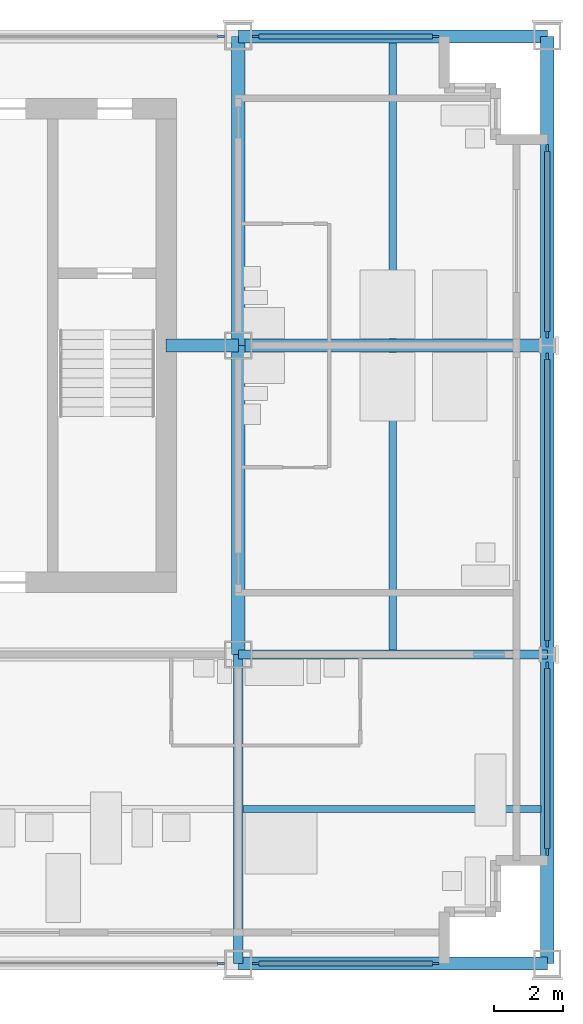
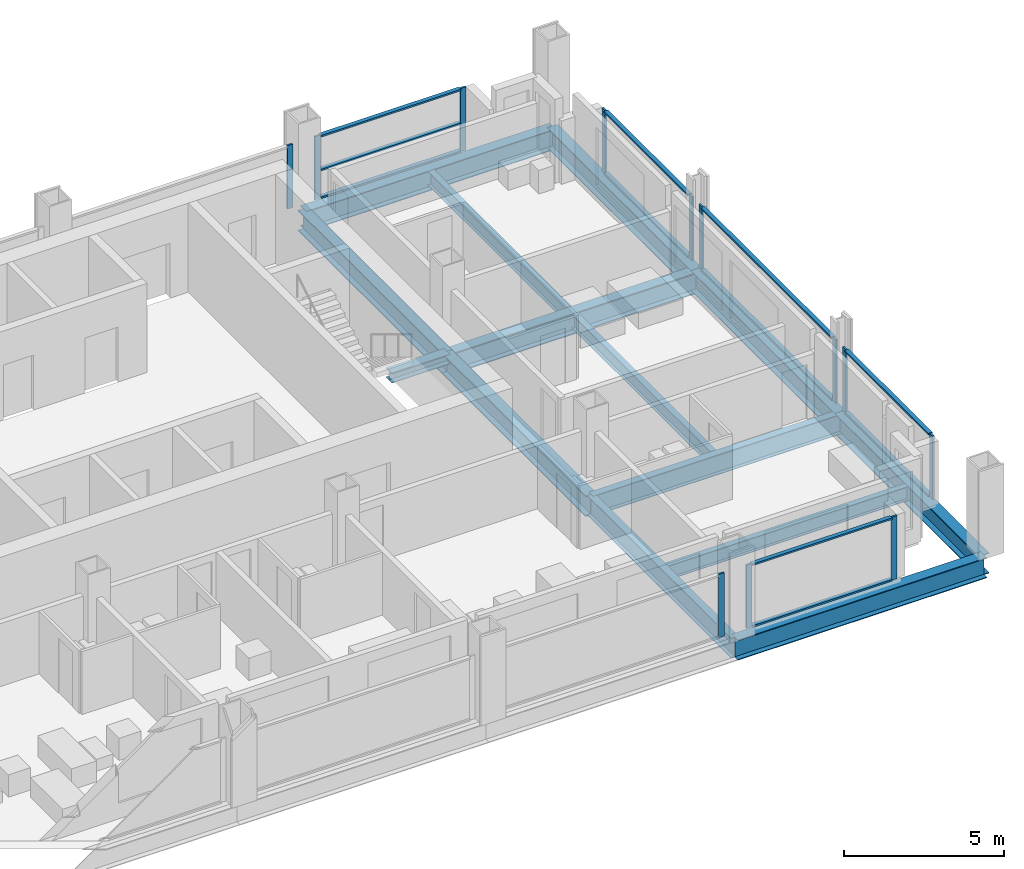
# One storey, part 5 of 13: 24 members, 13 beams, 7 elements without a shape of their own.
"""IFC4 building model written with IfcOpenShell, lengths in metres."""

from ifc_helpers import new_model, si_unit, direction, frame, origin, origin_2d, place, context, subcontext, project, spatial, rectangle, i_section, extrude, material, material_profile, profile_set, type_object, element, aggregate, save


model = new_model("IFC4")

# Units and contexts
model_context = context("Model", 3, precision=1e-05, world=origin(), true_north=direction((0.0, 1.0)))
body_context = subcontext(model_context, "Body", "Model", "MODEL_VIEW")
ifc_project = project(units=[si_unit("LENGTHUNIT", "METRE"), si_unit("AREAUNIT", "SQUARE_METRE"), si_unit("VOLUMEUNIT", "CUBIC_METRE"), si_unit("PLANEANGLEUNIT", "RADIAN"), si_unit("MASSUNIT", "GRAM", prefix="KILO")], contexts=[model_context])

# Site, building, storey
site_placement = place(None, origin())
site = spatial("IfcSite", under=ifc_project, at=site_placement, CompositionType="ELEMENT")
building_placement = place(site_placement, origin())
building = spatial("IfcBuilding", under=site, at=building_placement, Name="Loomwork Tower", CompositionType="ELEMENT")
storey_placement = place(building_placement, frame((0.0, 0.0, 214.800048828125)))
storey = spatial("IfcBuildingStorey", under=building, at=storey_placement, Name="L59", CompositionType="ELEMENT", Elevation=214.800048828125)

# Beams
ifc_material_1 = material(Name="Steel ASTM A992", Category="steel")
ifc_material_profile_1 = material_profile(ifc_material_1, i_section(OverallWidth=0.383544921875, OverallDepth=0.794921875, WebThickness=0.02099609375, FlangeThickness=0.0380859375, at=origin_2d()), Name="W30x235")
ifc_profile_set_1 = profile_set([ifc_material_profile_1], Name="Steel ASTM A992")
beam_type_1 = type_object("IfcBeamType", Name="CORE FLANK GIRDER W30x235", PredefinedType="BEAM", material=ifc_profile_set_1)
for number, where, z_axis, x_axis, name in (
    (1, (36.0, 18.0, -0.59765625), (1.0, 0.0, 0.0), (0.0, 1.0, 0.0), "Core Flank Girder F/6-F/7 L59"),
    (2, (36.0, 9.0, -0.59765625), (0.0, 1.0, 0.0), (-1.0, 0.0, 0.0), "Core Flank Girder E/6-F/6 L59"),
    (3, (36.0, 18.0, -0.59765625), (0.0, 1.0, 0.0), (-1.0, 0.0, 0.0), "Core Flank Girder F/6-G/6 L59"),
):
    element("IfcBeam", number, at=place(storey_placement, frame(where, z_axis=z_axis, x_axis=x_axis)), inside=storey, type_object=beam_type_1, Name=name, PredefinedType="BEAM", context=body_context, shape_type="SweptSolid", body=[
        extrude(i_section(OverallWidth=0.383544921875, OverallDepth=0.794921875, WebThickness=0.02099609375, FlangeThickness=0.0380859375, at=origin_2d()), origin(), (0.0, 0.0, 1.0), 9.0),
    ])

# Member
ifc_material_2 = material(Name="Steel ASTM A992", Category="steel")
ifc_material_profile_2 = material_profile(ifc_material_2, i_section(OverallWidth=0.373291015625, OverallDepth=0.373291015625, WebThickness=0.016357421875, FlangeThickness=0.026123046875, at=origin_2d()), Name="W14x132")
ifc_profile_set_2 = profile_set([ifc_material_profile_2], Name="Steel ASTM A992")
member_type_1 = type_object("IfcMemberType", Name="CORE LINK STRUT W14x132", PredefinedType="STRUT", material=ifc_profile_set_2)
member_1_placement = place(storey_placement, frame((36.0, 18.0, -0.38671875), z_axis=(-1.0, 0.0, 0.0), x_axis=(0.0, -1.0, 0.0)))
element("IfcMember", 4, at=member_1_placement, inside=storey, type_object=member_type_1, Name="Core link strut F/6-33.900,18.000 L59", PredefinedType="STRUT", context=body_context, shape_type="SweptSolid", body=[
    extrude(i_section(OverallWidth=0.373291015625, OverallDepth=0.373291015625, WebThickness=0.016357421875, FlangeThickness=0.026123046875, at=origin_2d()), origin(), (0.0, 0.0, 1.0), 2.10009765625),
])

# Beams
ifc_material_3 = material(Name="Steel ASTM A992", Category="steel")
ifc_material_profile_3 = material_profile(ifc_material_3, i_section(OverallWidth=0.2666015625, OverallDepth=0.761962890625, WebThickness=0.014404296875, FlangeThickness=0.021484375, at=origin_2d()), Name="W30x116")
ifc_profile_set_3 = profile_set([ifc_material_profile_3], Name="Steel ASTM A992")
beam_type_2 = type_object("IfcBeamType", Name="FLOOR GIRDER W30x116", PredefinedType="BEAM", material=ifc_profile_set_3)
for number, where, z_axis, x_axis, name in (
    (5, (36.0, 9.0, -0.5810546875), (1.0, 0.0, 0.0), (0.0, 1.0, 0.0), "Floor Girder E/6-E/7 L59"),
    (6, (36.0, 0.0, -0.5810546875), (0.0, 1.0, 0.0), (-1.0, 0.0, 0.0), "Floor Girder D/6-E/6 L59"),
):
    element("IfcBeam", number, at=place(storey_placement, frame(where, z_axis=z_axis, x_axis=x_axis)), inside=storey, type_object=beam_type_2, Name=name, PredefinedType="BEAM", context=body_context, shape_type="SweptSolid", body=[
        extrude(i_section(OverallWidth=0.2666015625, OverallDepth=0.761962890625, WebThickness=0.014404296875, FlangeThickness=0.021484375, at=origin_2d()), origin(), (0.0, 0.0, 1.0), 9.0),
    ])
ifc_material_4 = material(Name="Steel ASTM A992", Category="steel")
ifc_material_profile_4 = material_profile(ifc_material_4, i_section(OverallWidth=0.2109375, OverallDepth=0.53857421875, WebThickness=0.011474609375, FlangeThickness=0.018798828125, at=origin_2d()), Name="W21x73")
ifc_profile_set_4 = profile_set([ifc_material_profile_4], Name="Steel ASTM A992")
beam_type_3 = type_object("IfcBeamType", Name="FLOOR JOIST W21x73", PredefinedType="JOIST", material=ifc_profile_set_4)
beam_1_placement = place(storey_placement, frame((36.133056640625, 4.5, -0.46923828125), z_axis=(1.0, 0.0, 0.0), x_axis=(0.0, 1.0, 0.0)))
element("IfcBeam", 7, at=beam_1_placement, inside=storey, type_object=beam_type_3, Name="Floor Joist 36.000,4.500-45.000,4.500 L59", PredefinedType="JOIST", context=body_context, shape_type="SweptSolid", body=[
    extrude(i_section(OverallWidth=0.2109375, OverallDepth=0.53857421875, WebThickness=0.011474609375, FlangeThickness=0.018798828125, at=origin_2d()), origin(), (0.0, 0.0, 1.0), 8.677001953125),
])
beam_2_placement = place(storey_placement, frame((40.5, 9.133056640625, -0.46923828125), z_axis=(0.0, 1.0, 0.0), x_axis=(-1.0, 0.0, 0.0)))
element("IfcBeam", 8, at=beam_2_placement, inside=storey, type_object=beam_type_3, Name="Floor Joist 40.500,9.000-40.500,18.000 L59", PredefinedType="JOIST", context=body_context, shape_type="SweptSolid", body=[
    extrude(i_section(OverallWidth=0.2109375, OverallDepth=0.53857421875, WebThickness=0.011474609375, FlangeThickness=0.018798828125, at=origin_2d()), origin(), (0.0, 0.0, 1.0), 8.676025390625),
])
beam_3_placement = place(storey_placement, frame((40.5, 18.19091796875, -0.46923828125), z_axis=(0.0, 1.0, 0.0), x_axis=(-1.0, 0.0, 0.0)))
element("IfcBeam", 9, at=beam_3_placement, inside=storey, type_object=beam_type_3, Name="Floor Joist 40.500,18.000-40.500,27.000 L59", PredefinedType="JOIST", context=body_context, shape_type="SweptSolid", body=[
    extrude(i_section(OverallWidth=0.2109375, OverallDepth=0.53857421875, WebThickness=0.011474609375, FlangeThickness=0.018798828125, at=origin_2d()), origin(), (0.0, 0.0, 1.0), 8.619140625),
])

# Curtain wall, member
ifc_material_5 = material(Name="Aluminium curtain wall frame", Category="aluminium")
curtain_wall_type_1 = type_object("IfcCurtainWallType", Name="Outer skin glazing hotel", PredefinedType="NOTDEFINED", material=ifc_material_5)
curtain_wall_1_placement = place(storey_placement, origin())
curtain_wall_1 = element("IfcCurtainWall", 10, at=curtain_wall_1_placement, inside=storey, type_object=curtain_wall_type_1, Name="Outer skin glazing hotel cw/S-27", PredefinedType="NOTDEFINED")
ifc_material_6 = material(Name="Aluminium curtain wall frame", Category="aluminium")
ifc_material_profile_5 = material_profile(ifc_material_6, rectangle(XDim=0.06494140625, YDim=0.199951171875, at=origin_2d()), Name="AL 65x200")
ifc_profile_set_5 = profile_set([ifc_material_profile_5], Name="Aluminium curtain wall frame")
member_type_2 = type_object("IfcMemberType", Name="Outer skin glazing hotel mullion", PredefinedType="MULLION", material=ifc_profile_set_5)
member_2_placement = place(storey_placement, frame((35.5, 0.0, 0.0), z_axis=(0.0, 0.0, 1.0), x_axis=(0.0, 1.0, 0.0)))
member_2 = element("IfcMember", 11, at=member_2_placement, type_object=member_type_2, Name="CW1 mullion 2", PredefinedType="MULLION", context=body_context, shape_type="SweptSolid", body=[
    extrude(rectangle(XDim=0.06494140625, YDim=0.199951171875, at=origin_2d()), origin(), (0.0, 0.0, 1.0), 2.420166015625),
])
aggregate(curtain_wall_1, [member_2])

# Curtain wall, members
curtain_wall_2_placement = place(storey_placement, origin())
curtain_wall_2 = element("IfcCurtainWall", 12, at=curtain_wall_2_placement, inside=storey, type_object=curtain_wall_type_1, Name="Outer skin glazing hotel cw/S-36", PredefinedType="NOTDEFINED")
member_3_placement = place(storey_placement, frame((36.5, 0.0, 0.0), z_axis=(0.0, 0.0, 1.0), x_axis=(0.0, 1.0, 0.0)))
member_3 = element("IfcMember", 13, at=member_3_placement, type_object=member_type_2, Name="CW1 mullion 1", PredefinedType="MULLION", context=body_context, shape_type="SweptSolid", body=[
    extrude(rectangle(XDim=0.06494140625, YDim=0.199951171875, at=origin_2d()), origin(), (0.0, 0.0, 1.0), 2.420166015625),
])
member_4_placement = place(storey_placement, frame((41.75, 0.0, 0.0), z_axis=(0.0, 0.0, 1.0), x_axis=(0.0, 1.0, 0.0)))
member_4 = element("IfcMember", 14, at=member_4_placement, type_object=member_type_2, Name="CW1 mullion 2", PredefinedType="MULLION", context=body_context, shape_type="SweptSolid", body=[
    extrude(rectangle(XDim=0.06494140625, YDim=0.199951171875, at=origin_2d()), origin(), (0.0, 0.0, 1.0), 2.420166015625),
])

curtain_wall_3_placement = place(storey_placement, origin())
curtain_wall_3 = element("IfcCurtainWall", 15, at=curtain_wall_3_placement, inside=storey, type_object=curtain_wall_type_1, Name="Outer skin glazing hotel cw/E-0", PredefinedType="NOTDEFINED")
member_5_placement = place(storey_placement, frame((45.0, 3.25, 0.0), z_axis=(0.0, 0.0, 1.0), x_axis=(-1.0, 0.0, 0.0)))
member_5 = element("IfcMember", 16, at=member_5_placement, type_object=member_type_2, Name="CW1 mullion 1", PredefinedType="MULLION", context=body_context, shape_type="SweptSolid", body=[
    extrude(rectangle(XDim=0.06494140625, YDim=0.199951171875, at=origin_2d()), origin(), (0.0, 0.0, 1.0), 2.420166015625),
])
member_6_placement = place(storey_placement, frame((45.0, 8.6865234375, 0.0), z_axis=(0.0, 0.0, 1.0), x_axis=(-1.0, 0.0, 0.0)))
member_6 = element("IfcMember", 17, at=member_6_placement, type_object=member_type_2, Name="CW1 mullion 2", PredefinedType="MULLION", context=body_context, shape_type="SweptSolid", body=[
    extrude(rectangle(XDim=0.06494140625, YDim=0.199951171875, at=origin_2d()), origin(), (0.0, 0.0, 1.0), 2.420166015625),
])

curtain_wall_4_placement = place(storey_placement, origin())
curtain_wall_4 = element("IfcCurtainWall", 18, at=curtain_wall_4_placement, inside=storey, type_object=curtain_wall_type_1, Name="Outer skin glazing hotel cw/E-9", PredefinedType="NOTDEFINED")
member_7_placement = place(storey_placement, frame((45.0, 9.3134765625, 0.0), z_axis=(0.0, 0.0, 1.0), x_axis=(-1.0, 0.0, 0.0)))
member_7 = element("IfcMember", 19, at=member_7_placement, type_object=member_type_2, Name="CW1 mullion 1", PredefinedType="MULLION", context=body_context, shape_type="SweptSolid", body=[
    extrude(rectangle(XDim=0.06494140625, YDim=0.199951171875, at=origin_2d()), origin(), (0.0, 0.0, 1.0), 2.420166015625),
])
member_8_placement = place(storey_placement, frame((45.0, 17.6865234375, 0.0), z_axis=(0.0, 0.0, 1.0), x_axis=(-1.0, 0.0, 0.0)))
member_8 = element("IfcMember", 20, at=member_8_placement, type_object=member_type_2, Name="CW1 mullion 2", PredefinedType="MULLION", context=body_context, shape_type="SweptSolid", body=[
    extrude(rectangle(XDim=0.06494140625, YDim=0.199951171875, at=origin_2d()), origin(), (0.0, 0.0, 1.0), 2.420166015625),
])

curtain_wall_5_placement = place(storey_placement, origin())
curtain_wall_5 = element("IfcCurtainWall", 21, at=curtain_wall_5_placement, inside=storey, type_object=curtain_wall_type_1, Name="Outer skin glazing hotel cw/E-18", PredefinedType="NOTDEFINED")
member_9_placement = place(storey_placement, frame((45.0, 18.3134765625, 0.0), z_axis=(0.0, 0.0, 1.0), x_axis=(-1.0, 0.0, 0.0)))
member_9 = element("IfcMember", 22, at=member_9_placement, type_object=member_type_2, Name="CW1 mullion 1", PredefinedType="MULLION", context=body_context, shape_type="SweptSolid", body=[
    extrude(rectangle(XDim=0.06494140625, YDim=0.199951171875, at=origin_2d()), origin(), (0.0, 0.0, 1.0), 2.420166015625),
])
member_10_placement = place(storey_placement, frame((45.0, 23.75, 0.0), z_axis=(0.0, 0.0, 1.0), x_axis=(-1.0, 0.0, 0.0)))
member_10 = element("IfcMember", 23, at=member_10_placement, type_object=member_type_2, Name="CW1 mullion 2", PredefinedType="MULLION", context=body_context, shape_type="SweptSolid", body=[
    extrude(rectangle(XDim=0.06494140625, YDim=0.199951171875, at=origin_2d()), origin(), (0.0, 0.0, 1.0), 2.420166015625),
])

# Member
ifc_material_7 = material(Name="Aluminium curtain wall frame", Category="aluminium")
ifc_material_profile_6 = material_profile(ifc_material_7, rectangle(XDim=0.14990234375, YDim=0.06494140625, at=origin_2d()), Name="AL 65x150")
ifc_profile_set_6 = profile_set([ifc_material_profile_6], Name="Aluminium curtain wall frame")
member_type_3 = type_object("IfcMemberType", Name="Outer skin glazing hotel transom", PredefinedType="USERDEFINED", material=ifc_profile_set_6)
member_11_placement = place(storey_placement, frame((36.60009765625, 0.0, 0.032470703125), z_axis=(1.0, 0.0, 0.0), x_axis=(0.0, 1.0, 0.0)))
member_11 = element("IfcMember", 24, at=member_11_placement, type_object=member_type_3, Name="CW1 transom 1.1", ObjectType="TRANSOM", PredefinedType="USERDEFINED", context=body_context, shape_type="SweptSolid", body=[
    extrude(rectangle(XDim=0.14990234375, YDim=0.06494140625, at=origin_2d()), origin(), (0.0, 0.0, 1.0), 5.0498046875),
])

member_12_placement = place(storey_placement, frame((36.60009765625, 0.0, 2.3876953125), z_axis=(1.0, 0.0, 0.0), x_axis=(0.0, 1.0, 0.0)))
member_12 = element("IfcMember", 25, at=member_12_placement, type_object=member_type_3, Name="CW1 transom 1.2", ObjectType="TRANSOM", PredefinedType="USERDEFINED", context=body_context, shape_type="SweptSolid", body=[
    extrude(rectangle(XDim=0.14990234375, YDim=0.06494140625, at=origin_2d()), origin(), (0.0, 0.0, 1.0), 5.0498046875),
])

aggregate(curtain_wall_2, [member_3, member_4, member_11, member_12])

member_13_placement = place(storey_placement, frame((45.0, 3.35009765625, 0.032470703125), z_axis=(0.0, 1.0, 0.0), x_axis=(-1.0, 0.0, 0.0)))
member_13 = element("IfcMember", 26, at=member_13_placement, type_object=member_type_3, Name="CW1 transom 1.1", ObjectType="TRANSOM", PredefinedType="USERDEFINED", context=body_context, shape_type="SweptSolid", body=[
    extrude(rectangle(XDim=0.14990234375, YDim=0.06494140625, at=origin_2d()), origin(), (0.0, 0.0, 1.0), 5.236572265625),
])

member_14_placement = place(storey_placement, frame((45.0, 3.35009765625, 2.3876953125), z_axis=(0.0, 1.0, 0.0), x_axis=(-1.0, 0.0, 0.0)))
member_14 = element("IfcMember", 27, at=member_14_placement, type_object=member_type_3, Name="CW1 transom 1.2", ObjectType="TRANSOM", PredefinedType="USERDEFINED", context=body_context, shape_type="SweptSolid", body=[
    extrude(rectangle(XDim=0.14990234375, YDim=0.06494140625, at=origin_2d()), origin(), (0.0, 0.0, 1.0), 5.236572265625),
])

aggregate(curtain_wall_3, [member_5, member_6, member_13, member_14])

member_15_placement = place(storey_placement, frame((45.0, 9.413330078125, 0.032470703125), z_axis=(0.0, 1.0, 0.0), x_axis=(-1.0, 0.0, 0.0)))
member_15 = element("IfcMember", 28, at=member_15_placement, type_object=member_type_3, Name="CW1 transom 1.1", ObjectType="TRANSOM", PredefinedType="USERDEFINED", context=body_context, shape_type="SweptSolid", body=[
    extrude(rectangle(XDim=0.14990234375, YDim=0.06494140625, at=origin_2d()), origin(), (0.0, 0.0, 1.0), 8.17333984375),
])

member_16_placement = place(storey_placement, frame((45.0, 9.413330078125, 2.3876953125), z_axis=(0.0, 1.0, 0.0), x_axis=(-1.0, 0.0, 0.0)))
member_16 = element("IfcMember", 29, at=member_16_placement, type_object=member_type_3, Name="CW1 transom 1.2", ObjectType="TRANSOM", PredefinedType="USERDEFINED", context=body_context, shape_type="SweptSolid", body=[
    extrude(rectangle(XDim=0.14990234375, YDim=0.06494140625, at=origin_2d()), origin(), (0.0, 0.0, 1.0), 8.17333984375),
])

aggregate(curtain_wall_4, [member_7, member_8, member_15, member_16])

member_17_placement = place(storey_placement, frame((45.0, 18.413330078125, 0.032470703125), z_axis=(0.0, 1.0, 0.0), x_axis=(-1.0, 0.0, 0.0)))
member_17 = element("IfcMember", 30, at=member_17_placement, type_object=member_type_3, Name="CW1 transom 1.1", ObjectType="TRANSOM", PredefinedType="USERDEFINED", context=body_context, shape_type="SweptSolid", body=[
    extrude(rectangle(XDim=0.14990234375, YDim=0.06494140625, at=origin_2d()), origin(), (0.0, 0.0, 1.0), 5.236572265625),
])

member_18_placement = place(storey_placement, frame((45.0, 18.413330078125, 2.3876953125), z_axis=(0.0, 1.0, 0.0), x_axis=(-1.0, 0.0, 0.0)))
member_18 = element("IfcMember", 31, at=member_18_placement, type_object=member_type_3, Name="CW1 transom 1.2", ObjectType="TRANSOM", PredefinedType="USERDEFINED", context=body_context, shape_type="SweptSolid", body=[
    extrude(rectangle(XDim=0.14990234375, YDim=0.06494140625, at=origin_2d()), origin(), (0.0, 0.0, 1.0), 5.236572265625),
])

aggregate(curtain_wall_5, [member_9, member_10, member_17, member_18])

# Beams
ifc_material_8 = material(Name="Steel ASTM A992", Category="steel")
ifc_material_profile_7 = material_profile(ifc_material_8, i_section(OverallWidth=0.381103515625, OverallDepth=0.77978515625, WebThickness=0.01806640625, FlangeThickness=0.0302734375, at=origin_2d()), Name="W30x191")
ifc_profile_set_7 = profile_set([ifc_material_profile_7], Name="Steel ASTM A992")
beam_type_4 = type_object("IfcBeamType", Name="SPANDREL GIRDER W30x191", PredefinedType="SPANDREL", material=ifc_profile_set_7)
for number, where, z_axis, x_axis, name in (
    (32, (36.0, 0.0, -0.58984375), (1.0, 0.0, 0.0), (0.0, 1.0, 0.0), "Spandrel Girder D/6-D/7 L59"),
    (33, (36.0, 27.0, -0.58984375), (1.0, 0.0, 0.0), (0.0, 1.0, 0.0), "Spandrel Girder G/6-G/7 L59"),
    (34, (45.0, 0.0, -0.58984375), (0.0, 1.0, 0.0), (-1.0, 0.0, 0.0), "Spandrel Girder D/7-E/7 L59"),
    (35, (45.0, 9.0, -0.58984375), (0.0, 1.0, 0.0), (-1.0, 0.0, 0.0), "Spandrel Girder E/7-F/7 L59"),
    (36, (45.0, 18.0, -0.58984375), (0.0, 1.0, 0.0), (-1.0, 0.0, 0.0), "Spandrel Girder F/7-G/7 L59"),
):
    element("IfcBeam", number, at=place(storey_placement, frame(where, z_axis=z_axis, x_axis=x_axis)), inside=storey, type_object=beam_type_4, Name=name, PredefinedType="SPANDREL", context=body_context, shape_type="SweptSolid", body=[
        extrude(i_section(OverallWidth=0.381103515625, OverallDepth=0.77978515625, WebThickness=0.01806640625, FlangeThickness=0.0302734375, at=origin_2d()), origin(), (0.0, 0.0, 1.0), 9.0),
    ])

# Curtain wall, member
ifc_material_9 = material(Name="Aluminium curtain wall frame", Category="aluminium")
curtain_wall_type_2 = type_object("IfcCurtainWallType", Name="Single skin glazing corridor", PredefinedType="NOTDEFINED", material=ifc_material_9)
curtain_wall_6_placement = place(storey_placement, origin())
curtain_wall_6 = element("IfcCurtainWall", 37, at=curtain_wall_6_placement, inside=storey, type_object=curtain_wall_type_2, Name="Single skin glazing corridor cw/N-27", PredefinedType="NOTDEFINED")
ifc_material_10 = material(Name="Aluminium curtain wall frame", Category="aluminium")
ifc_material_profile_8 = material_profile(ifc_material_10, rectangle(XDim=0.06494140625, YDim=0.199951171875, at=origin_2d()), Name="AL 65x200")
ifc_profile_set_8 = profile_set([ifc_material_profile_8], Name="Aluminium curtain wall frame")
member_type_4 = type_object("IfcMemberType", Name="Single skin glazing corridor mullion", PredefinedType="MULLION", material=ifc_profile_set_8)
member_19_placement = place(storey_placement, frame((35.5, 27.0, 0.0), z_axis=(0.0, 0.0, 1.0), x_axis=(0.0, -1.0, 0.0)))
member_19 = element("IfcMember", 38, at=member_19_placement, type_object=member_type_4, Name="CW3 mullion 1", PredefinedType="MULLION", context=body_context, shape_type="SweptSolid", body=[
    extrude(rectangle(XDim=0.06494140625, YDim=0.199951171875, at=origin_2d()), origin(), (0.0, 0.0, 1.0), 2.420166015625),
])
aggregate(curtain_wall_6, [member_19])

# Curtain wall, members
curtain_wall_7_placement = place(storey_placement, origin())
curtain_wall_7 = element("IfcCurtainWall", 39, at=curtain_wall_7_placement, inside=storey, type_object=curtain_wall_type_2, Name="Single skin glazing corridor cw/N-36", PredefinedType="NOTDEFINED")
member_20_placement = place(storey_placement, frame((41.75, 27.0, 0.0), z_axis=(0.0, 0.0, 1.0), x_axis=(0.0, -1.0, 0.0)))
member_20 = element("IfcMember", 40, at=member_20_placement, type_object=member_type_4, Name="CW3 mullion 1", PredefinedType="MULLION", context=body_context, shape_type="SweptSolid", body=[
    extrude(rectangle(XDim=0.06494140625, YDim=0.199951171875, at=origin_2d()), origin(), (0.0, 0.0, 1.0), 2.420166015625),
])
member_21_placement = place(storey_placement, frame((36.5, 27.0, 0.0), z_axis=(0.0, 0.0, 1.0), x_axis=(0.0, -1.0, 0.0)))
member_21 = element("IfcMember", 41, at=member_21_placement, type_object=member_type_4, Name="CW3 mullion 2", PredefinedType="MULLION", context=body_context, shape_type="SweptSolid", body=[
    extrude(rectangle(XDim=0.06494140625, YDim=0.199951171875, at=origin_2d()), origin(), (0.0, 0.0, 1.0), 2.420166015625),
])
ifc_material_11 = material(Name="Aluminium curtain wall frame", Category="aluminium")
ifc_material_profile_9 = material_profile(ifc_material_11, rectangle(XDim=0.14990234375, YDim=0.06494140625, at=origin_2d()), Name="AL 65x150")
ifc_profile_set_9 = profile_set([ifc_material_profile_9], Name="Aluminium curtain wall frame")
member_type_5 = type_object("IfcMemberType", Name="Single skin glazing corridor transom", PredefinedType="USERDEFINED", material=ifc_profile_set_9)
member_22_placement = place(storey_placement, frame((41.64990234375, 27.0, 0.032470703125), z_axis=(-1.0, 0.0, 0.0), x_axis=(0.0, -1.0, 0.0)))
member_22 = element("IfcMember", 42, at=member_22_placement, type_object=member_type_5, Name="CW3 transom 1.1", ObjectType="TRANSOM", PredefinedType="USERDEFINED", context=body_context, shape_type="SweptSolid", body=[
    extrude(rectangle(XDim=0.14990234375, YDim=0.06494140625, at=origin_2d()), origin(), (0.0, 0.0, 1.0), 5.0498046875),
])
member_23_placement = place(storey_placement, frame((41.64990234375, 27.0, 1.099853515625), z_axis=(-1.0, 0.0, 0.0), x_axis=(0.0, -1.0, 0.0)))
member_23 = element("IfcMember", 43, at=member_23_placement, type_object=member_type_5, Name="CW3 transom 1.2", ObjectType="TRANSOM", PredefinedType="USERDEFINED", context=body_context, shape_type="SweptSolid", body=[
    extrude(rectangle(XDim=0.14990234375, YDim=0.06494140625, at=origin_2d()), origin(), (0.0, 0.0, 1.0), 5.0498046875),
])
member_24_placement = place(storey_placement, frame((41.64990234375, 27.0, 2.3876953125), z_axis=(-1.0, 0.0, 0.0), x_axis=(0.0, -1.0, 0.0)))
member_24 = element("IfcMember", 44, at=member_24_placement, type_object=member_type_5, Name="CW3 transom 1.3", ObjectType="TRANSOM", PredefinedType="USERDEFINED", context=body_context, shape_type="SweptSolid", body=[
    extrude(rectangle(XDim=0.14990234375, YDim=0.06494140625, at=origin_2d()), origin(), (0.0, 0.0, 1.0), 5.0498046875),
])
aggregate(curtain_wall_7, [member_20, member_21, member_22, member_23, member_24])

save(model, "model.ifc")
